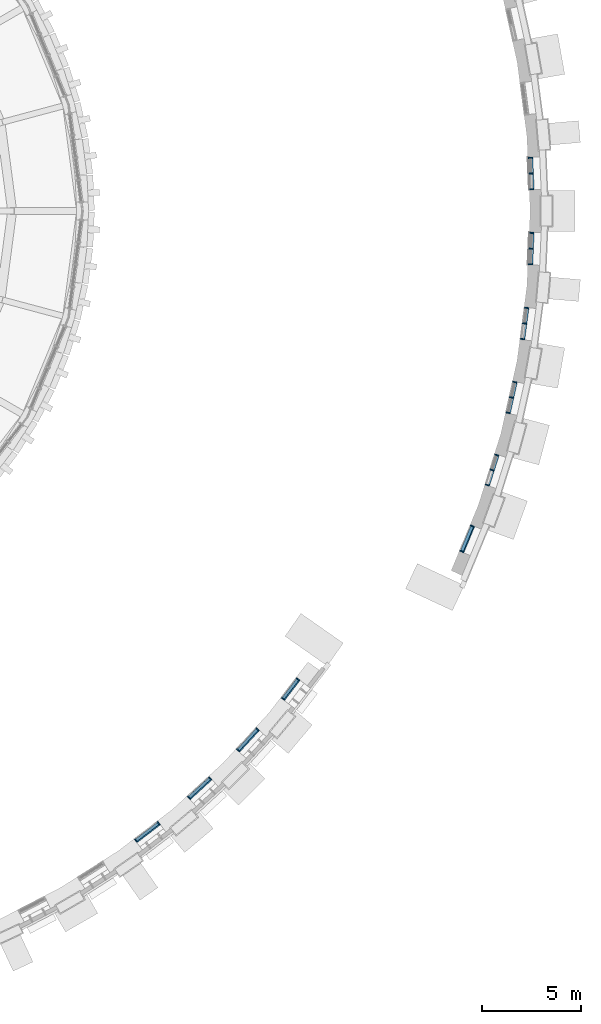
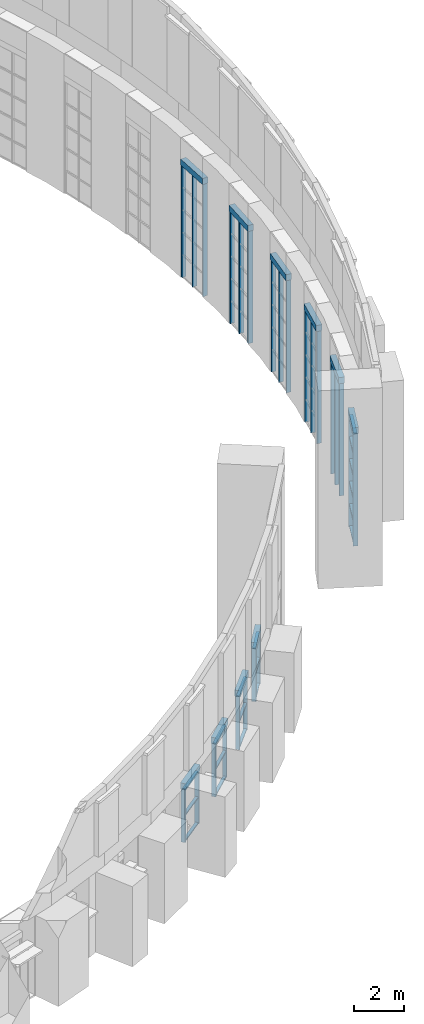
# One storey, part 19 of 82: 43 members, 10 beams, 10 elements without a shape of their own.
"""IFC4 building model written with IfcOpenShell, lengths in metres."""

from ifc_helpers import new_model, si_unit, direction, frame, origin, origin_2d, place, context, subcontext, project, spatial, rectangle, extrude, material, layer, layer_set, material_profile, profile_set, type_object, element, aggregate, save


model = new_model("IFC4")

# Units and contexts
model_context = context("Model", 3, precision=1e-05, world=origin(), true_north=direction((0.0, 1.0)))
body_context = subcontext(model_context, "Body", "Model", "MODEL_VIEW")
ifc_project = project(units=[si_unit("LENGTHUNIT", "METRE"), si_unit("AREAUNIT", "SQUARE_METRE"), si_unit("VOLUMEUNIT", "CUBIC_METRE"), si_unit("PLANEANGLEUNIT", "RADIAN"), si_unit("MASSUNIT", "GRAM", prefix="KILO")], contexts=[model_context])

# Site, building, storey
site_placement = place(None, origin())
site = spatial("IfcSite", under=ifc_project, at=site_placement, CompositionType="ELEMENT")
building_placement = place(site_placement, origin())
building = spatial("IfcBuilding", under=site, at=building_placement, Name="Volute Hill Aquarium", CompositionType="ELEMENT")
storey_placement = place(building_placement, frame((0.0, 0.0, 13.800048828125)))
storey = spatial("IfcBuildingStorey", under=building, at=storey_placement, Name="L04", CompositionType="ELEMENT", Elevation=13.800048828125)

# Curtain wall, members
ifc_material_1 = material(Name="Aluminium", Category="aluminium")
ifc_layer_1 = layer(ifc_material_1, 0.25)
ifc_layer_set_1 = layer_set([ifc_layer_1], Name="Curtain wall niche S3 module 1489")
curtain_wall_type_1 = type_object("IfcCurtainWallType", Name="Curtain wall niche S3 module 1489", PredefinedType="NOTDEFINED", material=ifc_layer_set_1)
curtain_wall_1_placement = place(storey_placement, origin())
curtain_wall_1 = element("IfcCurtainWall", 1, at=curtain_wall_1_placement, inside=storey, type_object=curtain_wall_type_1, Name="Curtain wall CW S3 L04 7", PredefinedType="NOTDEFINED")
ifc_material_2 = material(Name="Aluminium", Category="aluminium")
ifc_material_profile_1 = material_profile(ifc_material_2, rectangle(XDim=0.179931640625, YDim=0.06005859375, at=origin_2d()), Name="Curtain wall mullion S3 60x180")
ifc_profile_set_1 = profile_set([ifc_material_profile_1], Name="Aluminium")
member_type_1 = type_object("IfcMemberType", Name="Curtain wall mullion S3 60x180", PredefinedType="MULLION", material=ifc_profile_set_1)
member_1_placement = place(storey_placement, frame((23.380126953125, -31.643310546875, 0.0), z_axis=(0.0, 0.0, 1.0), x_axis=(-0.608746843851, 0.793364531663, 0.0)))
member_1 = element("IfcMember", 2, at=member_1_placement, type_object=member_type_1, Name="CW mullion 1", PredefinedType="MULLION", context=body_context, shape_type="SweptSolid", body=[
    extrude(rectangle(XDim=0.179931640625, YDim=0.06005859375, at=origin_2d()), origin(), (0.0, 0.0, 1.0), 2.594970703125),
])
member_2_placement = place(storey_placement, frame((24.513916015625, -30.773193359375, 0.0), z_axis=(0.0, 0.0, 1.0), x_axis=(-0.608746843851, 0.793364531663, 0.0)))
member_2 = element("IfcMember", 3, at=member_2_placement, type_object=member_type_1, Name="CW mullion 2", PredefinedType="MULLION", context=body_context, shape_type="SweptSolid", body=[
    extrude(rectangle(XDim=0.179931640625, YDim=0.06005859375, at=origin_2d()), origin(), (0.0, 0.0, 1.0), 2.594970703125),
])

curtain_wall_2_placement = place(storey_placement, origin())
curtain_wall_2 = element("IfcCurtainWall", 4, at=curtain_wall_2_placement, inside=storey, type_object=curtain_wall_type_1, Name="Curtain wall CW S3 L04 8", PredefinedType="NOTDEFINED")
member_3_placement = place(storey_placement, frame((26.048828125, -29.4853515625, 0.0), z_axis=(0.0, 0.0, 1.0), x_axis=(-0.675613025622, 0.73725642731, 0.0)))
member_3 = element("IfcMember", 5, at=member_3_placement, type_object=member_type_1, Name="CW mullion 1", PredefinedType="MULLION", context=body_context, shape_type="SweptSolid", body=[
    extrude(rectangle(XDim=0.179931640625, YDim=0.06005859375, at=origin_2d()), origin(), (0.0, 0.0, 1.0), 2.594970703125),
])
member_4_placement = place(storey_placement, frame((27.1025390625, -28.519775390625, 0.0), z_axis=(0.0, 0.0, 1.0), x_axis=(-0.675613025622, 0.73725642731, 0.0)))
member_4 = element("IfcMember", 6, at=member_4_placement, type_object=member_type_1, Name="CW mullion 2", PredefinedType="MULLION", context=body_context, shape_type="SweptSolid", body=[
    extrude(rectangle(XDim=0.179931640625, YDim=0.06005859375, at=origin_2d()), origin(), (0.0, 0.0, 1.0), 2.594970703125),
])

curtain_wall_3_placement = place(storey_placement, origin())
curtain_wall_3 = element("IfcCurtainWall", 7, at=curtain_wall_3_placement, inside=storey, type_object=curtain_wall_type_1, Name="Curtain wall CW S3 L04 9", PredefinedType="NOTDEFINED")
member_5_placement = place(storey_placement, frame((28.51953125, -27.102783203125, 0.0), z_axis=(0.0, 0.0, 1.0), x_axis=(-0.737259772044, 0.675609375694, 0.0)))
member_5 = element("IfcMember", 8, at=member_5_placement, type_object=member_type_1, Name="CW mullion 1", PredefinedType="MULLION", context=body_context, shape_type="SweptSolid", body=[
    extrude(rectangle(XDim=0.179931640625, YDim=0.06005859375, at=origin_2d()), origin(), (0.0, 0.0, 1.0), 2.607421875),
])
member_6_placement = place(storey_placement, frame((29.485107421875, -26.049072265625, 0.0), z_axis=(0.0, 0.0, 1.0), x_axis=(-0.737259772044, 0.675609375694, 0.0)))
member_6 = element("IfcMember", 9, at=member_6_placement, type_object=member_type_1, Name="CW mullion 2", PredefinedType="MULLION", context=body_context, shape_type="SweptSolid", body=[
    extrude(rectangle(XDim=0.179931640625, YDim=0.06005859375, at=origin_2d()), origin(), (0.0, 0.0, 1.0), 2.607421875),
])

ifc_material_3 = material(Name="Aluminium", Category="aluminium")
ifc_layer_2 = layer(ifc_material_3, 0.25)
ifc_layer_set_2 = layer_set([ifc_layer_2], Name="Curtain wall niche S3 module 1289")
curtain_wall_type_2 = type_object("IfcCurtainWallType", Name="Curtain wall niche S3 module 1289", PredefinedType="NOTDEFINED", material=ifc_layer_set_2)
curtain_wall_4_placement = place(storey_placement, origin())
curtain_wall_4 = element("IfcCurtainWall", 10, at=curtain_wall_4_placement, inside=storey, type_object=curtain_wall_type_2, Name="Curtain wall CW S3 L04 10", PredefinedType="NOTDEFINED")
member_7_placement = place(storey_placement, frame((30.773193359375, -24.513916015625, 0.0), z_axis=(0.0, 0.0, 1.0), x_axis=(-0.79336569779, 0.608745324064, 0.0)))
member_7 = element("IfcMember", 11, at=member_7_placement, type_object=member_type_1, Name="CW mullion 1", PredefinedType="MULLION", context=body_context, shape_type="SweptSolid", body=[
    extrude(rectangle(XDim=0.179931640625, YDim=0.06005859375, at=origin_2d()), origin(), (0.0, 0.0, 1.0), 2.59716796875),
])
member_8_placement = place(storey_placement, frame((31.521484375, -23.538818359375, 0.0), z_axis=(0.0, 0.0, 1.0), x_axis=(-0.79336569779, 0.608745324064, 0.0)))
member_8 = element("IfcMember", 12, at=member_8_placement, type_object=member_type_1, Name="CW mullion 2", PredefinedType="MULLION", context=body_context, shape_type="SweptSolid", body=[
    extrude(rectangle(XDim=0.179931640625, YDim=0.06005859375, at=origin_2d()), origin(), (0.0, 0.0, 1.0), 2.59716796875),
])

ifc_material_4 = material(Name="Aluminium", Category="aluminium")
ifc_layer_3 = layer(ifc_material_4, 0.25)
ifc_layer_set_3 = layer_set([ifc_layer_3], Name="Curtain wall niche S4 module 1437")
curtain_wall_type_3 = type_object("IfcCurtainWallType", Name="Curtain wall niche S4 module 1437", PredefinedType="NOTDEFINED", material=ifc_layer_set_3)
curtain_wall_5_placement = place(storey_placement, origin())
curtain_wall_5 = element("IfcCurtainWall", 13, at=curtain_wall_5_placement, inside=storey, type_object=curtain_wall_type_3, Name="Curtain wall CW S4 L04 1", PredefinedType="NOTDEFINED")
ifc_material_5 = material(Name="Aluminium", Category="aluminium")
ifc_material_profile_2 = material_profile(ifc_material_5, rectangle(XDim=0.199951171875, YDim=0.06005859375, at=origin_2d()), Name="Curtain wall mullion S4 60x200")
ifc_profile_set_2 = profile_set([ifc_material_profile_2], Name="Aluminium")
member_type_2 = type_object("IfcMemberType", Name="Curtain wall mullion S4 60x200", PredefinedType="MULLION", material=ifc_profile_set_2)
member_9_placement = place(storey_placement, frame((39.763427734375, -17.107666015625, 0.0), z_axis=(0.0, 0.0, 1.0), x_axis=(-0.923873852375, 0.38269714514, 0.0)))
member_9 = element("IfcMember", 14, at=member_9_placement, type_object=member_type_2, Name="CW mullion 1", PredefinedType="MULLION", context=body_context, shape_type="SweptSolid", body=[
    extrude(rectangle(XDim=0.199951171875, YDim=0.06005859375, at=origin_2d()), origin(), (0.0, 0.0, 1.0), 5.5126953125),
])
member_10_placement = place(storey_placement, frame((40.29052734375, -15.835205078125, 0.0), z_axis=(0.0, 0.0, 1.0), x_axis=(-0.923873852375, 0.38269714514, 0.0)))
member_10 = element("IfcMember", 15, at=member_10_placement, type_object=member_type_2, Name="CW mullion 2", PredefinedType="MULLION", context=body_context, shape_type="SweptSolid", body=[
    extrude(rectangle(XDim=0.199951171875, YDim=0.06005859375, at=origin_2d()), origin(), (0.0, 0.0, 1.0), 5.5126953125),
])

ifc_material_6 = material(Name="Aluminium", Category="aluminium")
ifc_layer_4 = layer(ifc_material_6, 0.25)
ifc_layer_set_4 = layer_set([ifc_layer_4], Name="Curtain wall niche S4 module 819")
curtain_wall_type_4 = type_object("IfcCurtainWallType", Name="Curtain wall niche S4 module 819", PredefinedType="NOTDEFINED", material=ifc_layer_set_4)
curtain_wall_6_placement = place(storey_placement, origin())
curtain_wall_6 = element("IfcCurtainWall", 16, at=curtain_wall_6_placement, inside=storey, type_object=curtain_wall_type_4, Name="Curtain wall CW S4 L04 2", PredefinedType="NOTDEFINED")
member_11_placement = place(storey_placement, frame((41.04296875, -13.767822265625, 0.0), z_axis=(0.0, 0.0, 1.0), x_axis=(-0.953715759869, 0.300709576466, 0.0)))
member_11 = element("IfcMember", 17, at=member_11_placement, type_object=member_type_2, Name="CW mullion 1", PredefinedType="MULLION", context=body_context, shape_type="SweptSolid", body=[
    extrude(rectangle(XDim=0.199951171875, YDim=0.06005859375, at=origin_2d()), origin(), (0.0, 0.0, 1.0), 5.51025390625),
])
member_12_placement = place(storey_placement, frame((41.2802734375, -13.015625, 0.0), z_axis=(0.0, 0.0, 1.0), x_axis=(-0.953715759869, 0.300709576466, 0.0)))
member_12 = element("IfcMember", 18, at=member_12_placement, type_object=member_type_2, Name="CW mullion 2", PredefinedType="MULLION", context=body_context, shape_type="SweptSolid", body=[
    extrude(rectangle(XDim=0.199951171875, YDim=0.06005859375, at=origin_2d()), origin(), (0.0, 0.0, 1.0), 5.51025390625),
])
member_13_placement = place(storey_placement, frame((41.517333984375, -12.263427734375, 0.0), z_axis=(0.0, 0.0, 1.0), x_axis=(-0.953715759869, 0.300709576466, 0.0)))
member_13 = element("IfcMember", 19, at=member_13_placement, type_object=member_type_2, Name="CW mullion 3", PredefinedType="MULLION", context=body_context, shape_type="SweptSolid", body=[
    extrude(rectangle(XDim=0.199951171875, YDim=0.06005859375, at=origin_2d()), origin(), (0.0, 0.0, 1.0), 5.51025390625),
])
aggregate(curtain_wall_6, [member_11, member_12, member_13])

curtain_wall_7_placement = place(storey_placement, origin())
curtain_wall_7 = element("IfcCurtainWall", 20, at=curtain_wall_7_placement, inside=storey, type_object=curtain_wall_type_4, Name="Curtain wall CW S4 L04 3", PredefinedType="NOTDEFINED")
member_14_placement = place(storey_placement, frame((42.0869140625, -10.138427734375, 0.0), z_axis=(0.0, 0.0, 1.0), x_axis=(-0.976297724054, 0.216431869204, 0.0)))
member_14 = element("IfcMember", 21, at=member_14_placement, type_object=member_type_2, Name="CW mullion 1", PredefinedType="MULLION", context=body_context, shape_type="SweptSolid", body=[
    extrude(rectangle(XDim=0.199951171875, YDim=0.06005859375, at=origin_2d()), origin(), (0.0, 0.0, 1.0), 5.51025390625),
])
member_15_placement = place(storey_placement, frame((42.257568359375, -9.368408203125, 0.0), z_axis=(0.0, 0.0, 1.0), x_axis=(-0.976297724054, 0.216431869204, 0.0)))
member_15 = element("IfcMember", 22, at=member_15_placement, type_object=member_type_2, Name="CW mullion 2", PredefinedType="MULLION", context=body_context, shape_type="SweptSolid", body=[
    extrude(rectangle(XDim=0.199951171875, YDim=0.06005859375, at=origin_2d()), origin(), (0.0, 0.0, 1.0), 5.51025390625),
])
member_16_placement = place(storey_placement, frame((42.42822265625, -8.598388671875, 0.0), z_axis=(0.0, 0.0, 1.0), x_axis=(-0.976297724054, 0.216431869204, 0.0)))
member_16 = element("IfcMember", 23, at=member_16_placement, type_object=member_type_2, Name="CW mullion 3", PredefinedType="MULLION", context=body_context, shape_type="SweptSolid", body=[
    extrude(rectangle(XDim=0.199951171875, YDim=0.06005859375, at=origin_2d()), origin(), (0.0, 0.0, 1.0), 5.51025390625),
])
aggregate(curtain_wall_7, [member_14, member_15, member_16])

curtain_wall_8_placement = place(storey_placement, origin())
curtain_wall_8 = element("IfcCurtainWall", 24, at=curtain_wall_8_placement, inside=storey, type_object=curtain_wall_type_4, Name="Curtain wall CW S4 L04 4", PredefinedType="NOTDEFINED")
member_17_placement = place(storey_placement, frame((42.810302734375, -6.431640625, 0.0), z_axis=(0.0, 0.0, 1.0), x_axis=(-0.991446228392, 0.130515808269, 0.0)))
member_17 = element("IfcMember", 25, at=member_17_placement, type_object=member_type_2, Name="CW mullion 1", PredefinedType="MULLION", context=body_context, shape_type="SweptSolid", body=[
    extrude(rectangle(XDim=0.199951171875, YDim=0.06005859375, at=origin_2d()), origin(), (0.0, 0.0, 1.0), 5.51025390625),
])
member_18_placement = place(storey_placement, frame((42.9130859375, -5.649658203125, 0.0), z_axis=(0.0, 0.0, 1.0), x_axis=(-0.991446228392, 0.130515808269, 0.0)))
member_18 = element("IfcMember", 26, at=member_18_placement, type_object=member_type_2, Name="CW mullion 2", PredefinedType="MULLION", context=body_context, shape_type="SweptSolid", body=[
    extrude(rectangle(XDim=0.199951171875, YDim=0.06005859375, at=origin_2d()), origin(), (0.0, 0.0, 1.0), 5.51025390625),
])
member_19_placement = place(storey_placement, frame((43.01611328125, -4.86767578125, 0.0), z_axis=(0.0, 0.0, 1.0), x_axis=(-0.991446228392, 0.130515808269, 0.0)))
member_19 = element("IfcMember", 27, at=member_19_placement, type_object=member_type_2, Name="CW mullion 3", PredefinedType="MULLION", context=body_context, shape_type="SweptSolid", body=[
    extrude(rectangle(XDim=0.199951171875, YDim=0.06005859375, at=origin_2d()), origin(), (0.0, 0.0, 1.0), 5.51025390625),
])
aggregate(curtain_wall_8, [member_17, member_18, member_19])

curtain_wall_9_placement = place(storey_placement, origin())
curtain_wall_9 = element("IfcCurtainWall", 28, at=curtain_wall_9_placement, inside=storey, type_object=curtain_wall_type_4, Name="Curtain wall CW S4 L04 5", PredefinedType="NOTDEFINED")
member_20_placement = place(storey_placement, frame((43.207763671875, -2.67578125, 0.0), z_axis=(0.0, 0.0, 1.0), x_axis=(-0.999048341335, 0.043616644488, 0.0)))
member_20 = element("IfcMember", 29, at=member_20_placement, type_object=member_type_2, Name="CW mullion 1", PredefinedType="MULLION", context=body_context, shape_type="SweptSolid", body=[
    extrude(rectangle(XDim=0.199951171875, YDim=0.06005859375, at=origin_2d()), origin(), (0.0, 0.0, 1.0), 5.51025390625),
])
member_21_placement = place(storey_placement, frame((43.2421875, -1.887939453125, 0.0), z_axis=(0.0, 0.0, 1.0), x_axis=(-0.999048341335, 0.043616644488, 0.0)))
member_21 = element("IfcMember", 30, at=member_21_placement, type_object=member_type_2, Name="CW mullion 2", PredefinedType="MULLION", context=body_context, shape_type="SweptSolid", body=[
    extrude(rectangle(XDim=0.199951171875, YDim=0.06005859375, at=origin_2d()), origin(), (0.0, 0.0, 1.0), 5.51025390625),
])
member_22_placement = place(storey_placement, frame((43.276611328125, -1.099853515625, 0.0), z_axis=(0.0, 0.0, 1.0), x_axis=(-0.999048341335, 0.043616644488, 0.0)))
member_22 = element("IfcMember", 31, at=member_22_placement, type_object=member_type_2, Name="CW mullion 3", PredefinedType="MULLION", context=body_context, shape_type="SweptSolid", body=[
    extrude(rectangle(XDim=0.199951171875, YDim=0.06005859375, at=origin_2d()), origin(), (0.0, 0.0, 1.0), 5.51025390625),
])
aggregate(curtain_wall_9, [member_20, member_21, member_22])

curtain_wall_10_placement = place(storey_placement, origin())
curtain_wall_10 = element("IfcCurtainWall", 32, at=curtain_wall_10_placement, inside=storey, type_object=curtain_wall_type_4, Name="Curtain wall CW S4 L04 6", PredefinedType="NOTDEFINED")
member_23_placement = place(storey_placement, frame((43.276611328125, 1.10009765625, 0.0), z_axis=(0.0, 0.0, 1.0), x_axis=(-0.999048075201, -0.043622739916, 0.0)))
member_23 = element("IfcMember", 33, at=member_23_placement, type_object=member_type_2, Name="CW mullion 1", PredefinedType="MULLION", context=body_context, shape_type="SweptSolid", body=[
    extrude(rectangle(XDim=0.199951171875, YDim=0.06005859375, at=origin_2d()), origin(), (0.0, 0.0, 1.0), 5.51025390625),
])
member_24_placement = place(storey_placement, frame((43.2421875, 1.887939453125, 0.0), z_axis=(0.0, 0.0, 1.0), x_axis=(-0.999048075201, -0.043622739916, 0.0)))
member_24 = element("IfcMember", 34, at=member_24_placement, type_object=member_type_2, Name="CW mullion 2", PredefinedType="MULLION", context=body_context, shape_type="SweptSolid", body=[
    extrude(rectangle(XDim=0.199951171875, YDim=0.06005859375, at=origin_2d()), origin(), (0.0, 0.0, 1.0), 5.51025390625),
])
member_25_placement = place(storey_placement, frame((43.207763671875, 2.676025390625, 0.0), z_axis=(0.0, 0.0, 1.0), x_axis=(-0.999048075201, -0.043622739916, 0.0)))
member_25 = element("IfcMember", 35, at=member_25_placement, type_object=member_type_2, Name="CW mullion 3", PredefinedType="MULLION", context=body_context, shape_type="SweptSolid", body=[
    extrude(rectangle(XDim=0.199951171875, YDim=0.06005859375, at=origin_2d()), origin(), (0.0, 0.0, 1.0), 5.51025390625),
])
aggregate(curtain_wall_10, [member_23, member_24, member_25])

# Member
ifc_material_7 = material(Name="Aluminium", Category="aluminium")
ifc_material_profile_3 = material_profile(ifc_material_7, rectangle(XDim=0.139892578125, YDim=0.06005859375, at=origin_2d()), Name="Curtain wall transom S3 60x140")
ifc_profile_set_3 = profile_set([ifc_material_profile_3], Name="Aluminium")
member_type_3 = type_object("IfcMemberType", Name="Curtain wall transom S3 60x140", PredefinedType="USERDEFINED", material=ifc_profile_set_3)
member_26_placement = place(storey_placement, frame((23.40380859375, -31.625, 0.030029296875), z_axis=(0.793405441688, 0.608693523129, 0.0), x_axis=(-0.608693523129, 0.793405441688, 0.0)))
member_26 = element("IfcMember", 36, at=member_26_placement, type_object=member_type_3, Name="CW transom 1.1", ObjectType="TRANSOM", PredefinedType="USERDEFINED", context=body_context, shape_type="SweptSolid", body=[
    extrude(rectangle(XDim=0.139892578125, YDim=0.06005859375, at=origin_2d()), origin(), (0.0, 0.0, 1.0), 1.369384765625),
])

member_27_placement = place(storey_placement, frame((23.40380859375, -31.625, 1.29736328125), z_axis=(0.793405441688, 0.608693523129, 0.0), x_axis=(-0.608693523129, 0.793405441688, 0.0)))
member_27 = element("IfcMember", 37, at=member_27_placement, type_object=member_type_3, Name="CW transom 1.2", ObjectType="TRANSOM", PredefinedType="USERDEFINED", context=body_context, shape_type="SweptSolid", body=[
    extrude(rectangle(XDim=0.139892578125, YDim=0.06005859375, at=origin_2d()), origin(), (0.0, 0.0, 1.0), 1.369384765625),
])

member_28_placement = place(storey_placement, frame((23.40380859375, -31.625, 2.56494140625), z_axis=(0.793405441688, 0.608693523129, 0.0), x_axis=(-0.608693523129, 0.793405441688, 0.0)))
member_28 = element("IfcMember", 38, at=member_28_placement, type_object=member_type_3, Name="CW transom 1.3", ObjectType="TRANSOM", PredefinedType="USERDEFINED", context=body_context, shape_type="SweptSolid", body=[
    extrude(rectangle(XDim=0.139892578125, YDim=0.06005859375, at=origin_2d()), origin(), (0.0, 0.0, 1.0), 1.369384765625),
])

aggregate(curtain_wall_1, [member_1, member_2, member_26, member_27, member_28])

member_29_placement = place(storey_placement, frame((26.071044921875, -29.465087890625, 0.030029296875), z_axis=(0.73727994828, 0.675587357686, 0.0), x_axis=(-0.675587357686, 0.73727994828, 0.0)))
member_29 = element("IfcMember", 39, at=member_29_placement, type_object=member_type_3, Name="CW transom 1.1", ObjectType="TRANSOM", PredefinedType="USERDEFINED", context=body_context, shape_type="SweptSolid", body=[
    extrude(rectangle(XDim=0.139892578125, YDim=0.06005859375, at=origin_2d()), origin(), (0.0, 0.0, 1.0), 1.369140625),
])

member_30_placement = place(storey_placement, frame((26.071044921875, -29.465087890625, 1.29736328125), z_axis=(0.73727994828, 0.675587357686, 0.0), x_axis=(-0.675587357686, 0.73727994828, 0.0)))
member_30 = element("IfcMember", 40, at=member_30_placement, type_object=member_type_3, Name="CW transom 1.2", ObjectType="TRANSOM", PredefinedType="USERDEFINED", context=body_context, shape_type="SweptSolid", body=[
    extrude(rectangle(XDim=0.139892578125, YDim=0.06005859375, at=origin_2d()), origin(), (0.0, 0.0, 1.0), 1.369140625),
])

member_31_placement = place(storey_placement, frame((26.071044921875, -29.465087890625, 2.56494140625), z_axis=(0.73727994828, 0.675587357686, 0.0), x_axis=(-0.675587357686, 0.73727994828, 0.0)))
member_31 = element("IfcMember", 41, at=member_31_placement, type_object=member_type_3, Name="CW transom 1.3", ObjectType="TRANSOM", PredefinedType="USERDEFINED", context=body_context, shape_type="SweptSolid", body=[
    extrude(rectangle(XDim=0.139892578125, YDim=0.06005859375, at=origin_2d()), origin(), (0.0, 0.0, 1.0), 1.369140625),
])

aggregate(curtain_wall_2, [member_3, member_4, member_29, member_30, member_31])

member_32_placement = place(storey_placement, frame((28.539794921875, -27.08056640625, 0.030029296875), z_axis=(0.675587357686, 0.73727994828, 0.0), x_axis=(-0.73727994828, 0.675587357686, 0.0)))
member_32 = element("IfcMember", 42, at=member_32_placement, type_object=member_type_3, Name="CW transom 1.1", ObjectType="TRANSOM", PredefinedType="USERDEFINED", context=body_context, shape_type="SweptSolid", body=[
    extrude(rectangle(XDim=0.139892578125, YDim=0.06005859375, at=origin_2d()), origin(), (0.0, 0.0, 1.0), 1.369140625),
])

member_33_placement = place(storey_placement, frame((28.539794921875, -27.08056640625, 1.3037109375), z_axis=(0.675587357686, 0.73727994828, 0.0), x_axis=(-0.73727994828, 0.675587357686, 0.0)))
member_33 = element("IfcMember", 43, at=member_33_placement, type_object=member_type_3, Name="CW transom 1.2", ObjectType="TRANSOM", PredefinedType="USERDEFINED", context=body_context, shape_type="SweptSolid", body=[
    extrude(rectangle(XDim=0.139892578125, YDim=0.06005859375, at=origin_2d()), origin(), (0.0, 0.0, 1.0), 1.369140625),
])

member_34_placement = place(storey_placement, frame((28.539794921875, -27.08056640625, 2.577392578125), z_axis=(0.675587357686, 0.73727994828, 0.0), x_axis=(-0.73727994828, 0.675587357686, 0.0)))
member_34 = element("IfcMember", 44, at=member_34_placement, type_object=member_type_3, Name="CW transom 1.3", ObjectType="TRANSOM", PredefinedType="USERDEFINED", context=body_context, shape_type="SweptSolid", body=[
    extrude(rectangle(XDim=0.139892578125, YDim=0.06005859375, at=origin_2d()), origin(), (0.0, 0.0, 1.0), 1.369140625),
])

aggregate(curtain_wall_3, [member_5, member_6, member_32, member_33, member_34])

member_35_placement = place(storey_placement, frame((30.79150390625, -24.490234375, 0.030029296875), z_axis=(0.608751540915, 0.793360927594, 0.0), x_axis=(-0.793360927594, 0.608751540915, 0.0)))
member_35 = element("IfcMember", 45, at=member_35_placement, type_object=member_type_3, Name="CW transom 1.1", ObjectType="TRANSOM", PredefinedType="USERDEFINED", context=body_context, shape_type="SweptSolid", body=[
    extrude(rectangle(XDim=0.139892578125, YDim=0.06005859375, at=origin_2d()), origin(), (0.0, 0.0, 1.0), 1.1689453125),
])

member_36_placement = place(storey_placement, frame((30.79150390625, -24.490234375, 1.298583984375), z_axis=(0.608751540915, 0.793360927594, 0.0), x_axis=(-0.793360927594, 0.608751540915, 0.0)))
member_36 = element("IfcMember", 46, at=member_36_placement, type_object=member_type_3, Name="CW transom 1.2", ObjectType="TRANSOM", PredefinedType="USERDEFINED", context=body_context, shape_type="SweptSolid", body=[
    extrude(rectangle(XDim=0.139892578125, YDim=0.06005859375, at=origin_2d()), origin(), (0.0, 0.0, 1.0), 1.1689453125),
])

member_37_placement = place(storey_placement, frame((30.79150390625, -24.490234375, 2.567138671875), z_axis=(0.608751540915, 0.793360927594, 0.0), x_axis=(-0.793360927594, 0.608751540915, 0.0)))
member_37 = element("IfcMember", 47, at=member_37_placement, type_object=member_type_3, Name="CW transom 1.3", ObjectType="TRANSOM", PredefinedType="USERDEFINED", context=body_context, shape_type="SweptSolid", body=[
    extrude(rectangle(XDim=0.139892578125, YDim=0.06005859375, at=origin_2d()), origin(), (0.0, 0.0, 1.0), 1.1689453125),
])

aggregate(curtain_wall_4, [member_7, member_8, member_35, member_36, member_37])

ifc_material_8 = material(Name="Aluminium", Category="aluminium")
ifc_material_profile_4 = material_profile(ifc_material_8, rectangle(XDim=0.14990234375, YDim=0.06005859375, at=origin_2d()), Name="Curtain wall transom S4 60x150")
ifc_profile_set_4 = profile_set([ifc_material_profile_4], Name="Aluminium")
member_type_4 = type_object("IfcMemberType", Name="Curtain wall transom S4 60x150", PredefinedType="USERDEFINED", material=ifc_profile_set_4)
member_38_placement = place(storey_placement, frame((39.77490234375, -17.079833984375, 0.030029296875), z_axis=(0.3827064316, 0.923870005581, 0.0), x_axis=(-0.923870005581, 0.3827064316, 0.0)))
member_38 = element("IfcMember", 48, at=member_38_placement, type_object=member_type_4, Name="CW transom 1.1", ObjectType="TRANSOM", PredefinedType="USERDEFINED", context=body_context, shape_type="SweptSolid", body=[
    extrude(rectangle(XDim=0.14990234375, YDim=0.06005859375, at=origin_2d()), origin(), (0.0, 0.0, 1.0), 1.3173828125),
])

member_39_placement = place(storey_placement, frame((39.77490234375, -17.079833984375, 1.1025390625), z_axis=(0.3827064316, 0.923870005581, 0.0), x_axis=(-0.923870005581, 0.3827064316, 0.0)))
member_39 = element("IfcMember", 49, at=member_39_placement, type_object=member_type_4, Name="CW transom 1.2", ObjectType="TRANSOM", PredefinedType="USERDEFINED", context=body_context, shape_type="SweptSolid", body=[
    extrude(rectangle(XDim=0.14990234375, YDim=0.06005859375, at=origin_2d()), origin(), (0.0, 0.0, 1.0), 1.3173828125),
])

member_40_placement = place(storey_placement, frame((39.77490234375, -17.079833984375, 2.205078125), z_axis=(0.3827064316, 0.923870005581, 0.0), x_axis=(-0.923870005581, 0.3827064316, 0.0)))
member_40 = element("IfcMember", 50, at=member_40_placement, type_object=member_type_4, Name="CW transom 1.3", ObjectType="TRANSOM", PredefinedType="USERDEFINED", context=body_context, shape_type="SweptSolid", body=[
    extrude(rectangle(XDim=0.14990234375, YDim=0.06005859375, at=origin_2d()), origin(), (0.0, 0.0, 1.0), 1.3173828125),
])

member_41_placement = place(storey_placement, frame((39.77490234375, -17.079833984375, 3.3076171875), z_axis=(0.3827064316, 0.923870005581, 0.0), x_axis=(-0.923870005581, 0.3827064316, 0.0)))
member_41 = element("IfcMember", 51, at=member_41_placement, type_object=member_type_4, Name="CW transom 1.4", ObjectType="TRANSOM", PredefinedType="USERDEFINED", context=body_context, shape_type="SweptSolid", body=[
    extrude(rectangle(XDim=0.14990234375, YDim=0.06005859375, at=origin_2d()), origin(), (0.0, 0.0, 1.0), 1.3173828125),
])

member_42_placement = place(storey_placement, frame((39.77490234375, -17.079833984375, 4.41015625), z_axis=(0.3827064316, 0.923870005581, 0.0), x_axis=(-0.923870005581, 0.3827064316, 0.0)))
member_42 = element("IfcMember", 52, at=member_42_placement, type_object=member_type_4, Name="CW transom 1.5", ObjectType="TRANSOM", PredefinedType="USERDEFINED", context=body_context, shape_type="SweptSolid", body=[
    extrude(rectangle(XDim=0.14990234375, YDim=0.06005859375, at=origin_2d()), origin(), (0.0, 0.0, 1.0), 1.3173828125),
])

member_43_placement = place(storey_placement, frame((39.77490234375, -17.079833984375, 5.482666015625), z_axis=(0.3827064316, 0.923870005581, 0.0), x_axis=(-0.923870005581, 0.3827064316, 0.0)))
member_43 = element("IfcMember", 53, at=member_43_placement, type_object=member_type_4, Name="CW transom 1.6", ObjectType="TRANSOM", PredefinedType="USERDEFINED", context=body_context, shape_type="SweptSolid", body=[
    extrude(rectangle(XDim=0.14990234375, YDim=0.06005859375, at=origin_2d()), origin(), (0.0, 0.0, 1.0), 1.3173828125),
])

aggregate(curtain_wall_5, [member_9, member_10, member_38, member_39, member_40, member_41, member_42, member_43])

# Beams
ifc_material_9 = material(Name="Concrete C35/45", Category="concrete")
ifc_material_profile_5 = material_profile(ifc_material_9, rectangle(XDim=0.25, YDim=0.300048828125, at=origin_2d()), Name="RC beam 250x300")
ifc_profile_set_5 = profile_set([ifc_material_profile_5], Name="Concrete C35/45")
beam_type = type_object("IfcBeamType", Name="Niche head beam RC 250x300 C35/45", PredefinedType="BEAM", material=ifc_profile_set_5)
for number, where, z_axis, x_axis, name in (
    (54, (23.356201171875, -31.66162109375, 2.744873046875), (0.793421630925, 0.608672420584, 0.0), (-0.608672420584, 0.793421630925, 0.0), "Niche head beam OWB S3 L04 7"),
    (55, (26.02685546875, -29.505615234375, 2.744873046875), (0.737256210135, 0.675613262612, 0.0), (-0.675613262612, 0.737256210135, 0.0), "Niche head beam OWB S3 L04 8"),
    (56, (28.499267578125, -27.124755859375, 2.75732421875), (0.675613262612, 0.737256210135, 0.0), (-0.737256210135, 0.675613262612, 0.0), "Niche head beam OWB S3 L04 9"),
):
    element("IfcBeam", number, at=place(storey_placement, frame(where, z_axis=z_axis, x_axis=x_axis)), inside=storey, type_object=beam_type, Name=name, PredefinedType="BEAM", context=body_context, shape_type="SweptSolid", body=[
        extrude(rectangle(XDim=0.25, YDim=0.300048828125, at=origin_2d()), origin(), (0.0, 0.0, 1.0), 1.4892578125),
    ])
beam_1_placement = place(storey_placement, frame((30.755126953125, -24.537841796875, 2.7470703125), z_axis=(0.608721761392, 0.793383776749, 0.0), x_axis=(-0.793383776749, 0.608721761392, 0.0)))
element("IfcBeam", 57, at=beam_1_placement, inside=storey, type_object=beam_type, Name="Niche head beam OWB S3 L04 10", PredefinedType="BEAM", context=body_context, shape_type="SweptSolid", body=[
    extrude(rectangle(XDim=0.25, YDim=0.300048828125, at=origin_2d()), origin(), (0.0, 0.0, 1.0), 1.2890625),
])
beam_2_placement = place(storey_placement, frame((39.751953125, -17.13525390625, 5.66259765625), z_axis=(0.382696833945, 0.923873981281, 0.0), x_axis=(-0.923873981281, 0.382696833945, 0.0)))
element("IfcBeam", 58, at=beam_2_placement, inside=storey, type_object=beam_type, Name="Niche head beam OWB S4 L04 1", PredefinedType="BEAM", context=body_context, shape_type="SweptSolid", body=[
    extrude(rectangle(XDim=0.25, YDim=0.300048828125, at=origin_2d()), origin(), (0.0, 0.0, 1.0), 1.437255859375),
])
beam_3_placement = place(storey_placement, frame((41.033935546875, -13.79638671875, 5.660400390625), z_axis=(0.300753125362, 0.953702027672, 0.0), x_axis=(-0.953702027672, 0.300753125362, 0.0)))
element("IfcBeam", 59, at=beam_3_placement, inside=storey, type_object=beam_type, Name="Niche head beam OWB S4 L04 2", PredefinedType="BEAM", context=body_context, shape_type="SweptSolid", body=[
    extrude(rectangle(XDim=0.25, YDim=0.300048828125, at=origin_2d()), origin(), (0.0, 0.0, 1.0), 1.63720703125),
])
beam_4_placement = place(storey_placement, frame((42.080322265625, -10.167724609375, 5.660400390625), z_axis=(0.216346291888, 0.976316691441, 0.0), x_axis=(-0.976316691441, 0.216346291888, 0.0)))
element("IfcBeam", 60, at=beam_4_placement, inside=storey, type_object=beam_type, Name="Niche head beam OWB S4 L04 3", PredefinedType="BEAM", context=body_context, shape_type="SweptSolid", body=[
    extrude(rectangle(XDim=0.25, YDim=0.300048828125, at=origin_2d()), origin(), (0.0, 0.0, 1.0), 1.637451171875),
])
for number, where, z_axis, x_axis, name in (
    (61, (42.806396484375, -6.461181640625, 5.660400390625), (0.130473798764, 0.991451757695, 0.0), (-0.991451757695, 0.130473798764, 0.0), "Niche head beam OWB S4 L04 4"),
    (62, (43.20654296875, -2.705810546875, 5.660400390625), (0.043689586592, 0.999045154146, 0.0), (-0.999045154146, 0.043689586592, 0.0), "Niche head beam OWB S4 L04 5"),
):
    element("IfcBeam", number, at=place(storey_placement, frame(where, z_axis=z_axis, x_axis=x_axis)), inside=storey, type_object=beam_type, Name=name, PredefinedType="BEAM", context=body_context, shape_type="SweptSolid", body=[
        extrude(rectangle(XDim=0.25, YDim=0.300048828125, at=origin_2d()), origin(), (0.0, 0.0, 1.0), 1.63720703125),
    ])
beam_5_placement = place(storey_placement, frame((43.278076171875, 1.070068359375, 5.660400390625), z_axis=(-0.043683079173, 0.999045438703, 0.0), x_axis=(-0.999045438703, -0.043683079173, 0.0)))
element("IfcBeam", 63, at=beam_5_placement, inside=storey, type_object=beam_type, Name="Niche head beam OWB S4 L04 6", PredefinedType="BEAM", context=body_context, shape_type="SweptSolid", body=[
    extrude(rectangle(XDim=0.25, YDim=0.300048828125, at=origin_2d()), origin(), (0.0, 0.0, 1.0), 1.637451171875),
])

save(model, "model.ifc")
